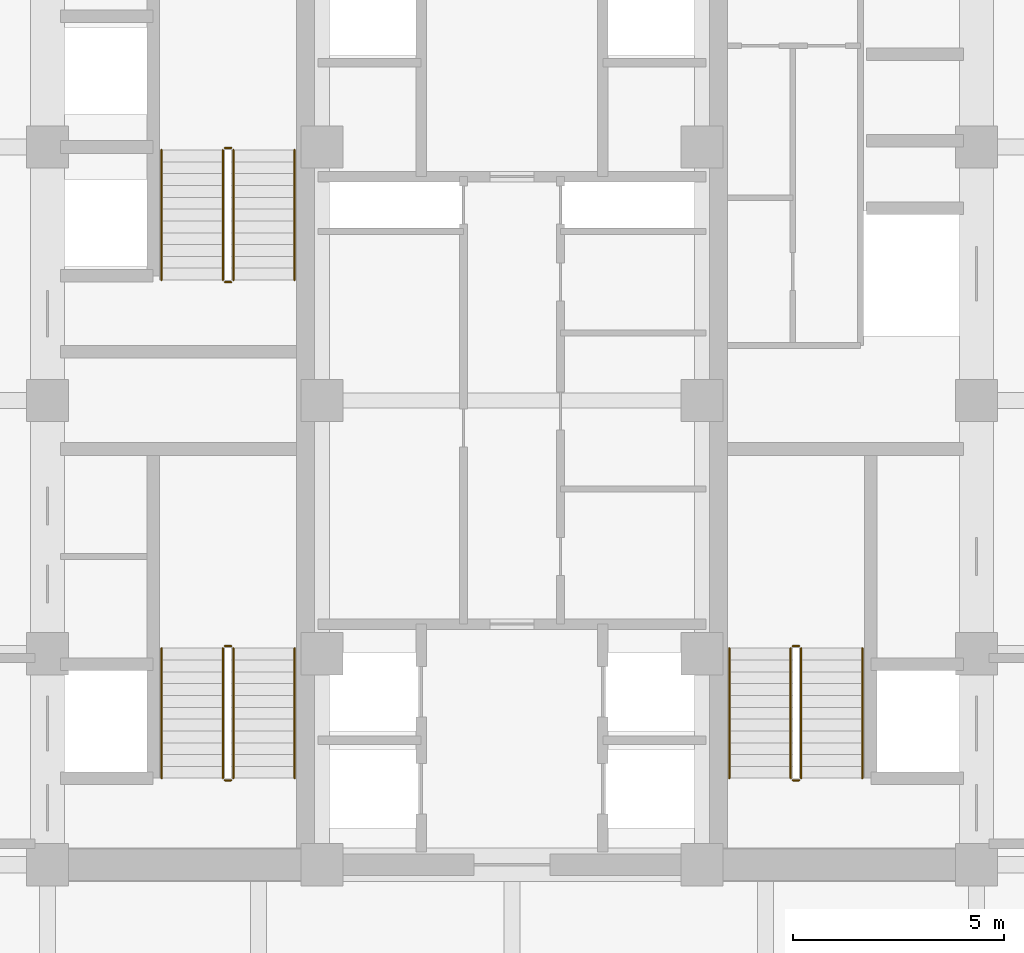
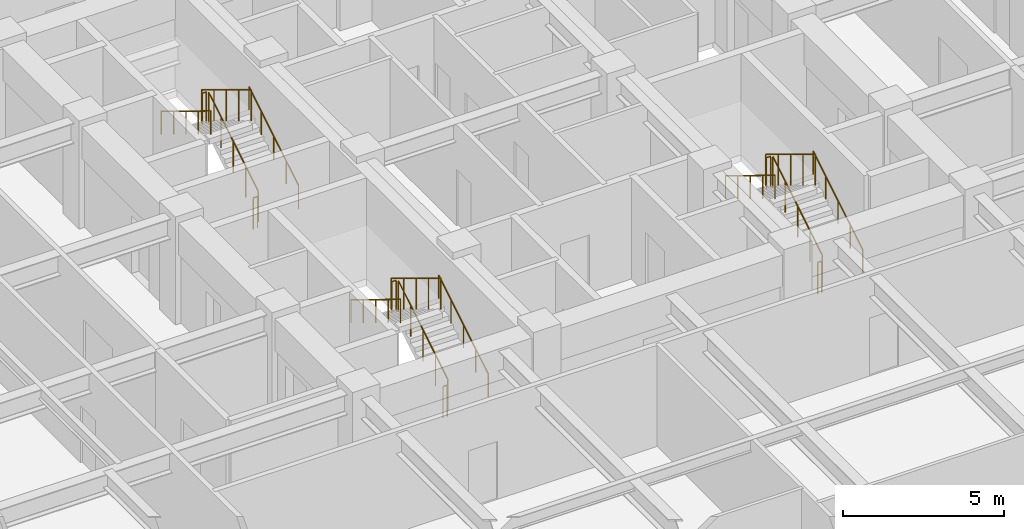
# One storey, part 27 of 27: 18 railings.
"""IFC4 building model written with IfcOpenShell, lengths in metres."""

from ifc_helpers import new_model, si_unit, direction, frame, origin, origin_2d, place, context, subcontext, project, spatial, circle, extrude, source, transform, mapped, material, type_object, element, save


model = new_model("IFC4")

# Units and contexts
model_context = context("Model", 3, precision=1e-05, world=origin(), true_north=direction((0.0, 1.0)))
body_context = subcontext(model_context, "Body", "Model", "MODEL_VIEW")
ifc_project = project(units=[si_unit("LENGTHUNIT", "METRE"), si_unit("AREAUNIT", "SQUARE_METRE"), si_unit("VOLUMEUNIT", "CUBIC_METRE"), si_unit("PLANEANGLEUNIT", "RADIAN"), si_unit("MASSUNIT", "GRAM", prefix="KILO")], contexts=[model_context])

# Site, building, storey
site_placement = place(None, origin())
site = spatial("IfcSite", under=ifc_project, at=site_placement, CompositionType="ELEMENT")
building_placement = place(site_placement, origin())
building = spatial("IfcBuilding", under=site, at=building_placement, Name="Khorayat Bourse Tower", CompositionType="ELEMENT")
storey_placement = place(building_placement, frame((0.0, 0.0, 140.60009765625)))
storey = spatial("IfcBuildingStorey", under=building, at=storey_placement, Name="L32", CompositionType="ELEMENT", Elevation=140.60009765625)

# Railings
ifc_material_1 = material(Name="Powder-coated steel balustrade", Category="steel")
railing_type_1 = type_object("IfcRailingType", Name="RLG-GUARD-1200", PredefinedType="GUARDRAIL", material=ifc_material_1)
shared_shape_1 = source(origin(), body_context, "Body", "SweptSolid", [
    extrude(circle(Radius=0.02392578125, at=origin_2d()), frame((0.0, 0.0, 1.17578125), z_axis=(-1.0, 0.0, 0.0), x_axis=(0.0, -1.0, 0.0)), (0.0, 0.0, 1.0), 0.150146484375),
    extrude(circle(Radius=0.02099609375, at=origin_2d()), origin(), (0.0, 0.0, 1.0), 1.15185546875),
    extrude(circle(Radius=0.02099609375, at=origin_2d()), frame((-0.150146484375, 0.0, 0.0)), (0.0, 0.0, 1.0), 1.15185546875),
])
for number, where, name in (
    (1, (-6.64990234375, -5.820068359375, 2.0498046875), "L32 ST-1 stair guard 2"),
    (2, (-6.64990234375, -9.0, 0.0), "L32 ST-1 stair guard 4"),
    (3, (-6.64990234375, 5.97998046875, 2.0498046875), "L32 ST-2 stair guard 2"),
    (4, (-6.64990234375, 2.800048828125, 0.0), "L32 ST-2 stair guard 4"),
    (5, (6.800048828125, -5.820068359375, 2.0498046875), "L32 ST-3 stair guard 2"),
    (6, (6.800048828125, -9.0, 0.0), "L32 ST-3 stair guard 4"),
):
    element("IfcRailing", number, at=place(storey_placement, frame(where)), inside=storey, type_object=railing_type_1, Name=name, PredefinedType="GUARDRAIL", context=body_context, shape_type="MappedRepresentation", body=[
        mapped(shared_shape_1, transform((0.0, 0.0, 0.0), scale=1.0)),
    ])
shared_shape_2 = source(origin(), body_context, "Body", "SweptSolid", [
    extrude(circle(Radius=0.02392578125, at=origin_2d()), frame((0.0, 0.0, 1.17578125), z_axis=(0.0, 0.853647949592, 0.520850437417), x_axis=(-1.0, 0.0, 0.0)), (0.0, 0.0, 1.0), 3.60791015625),
    extrude(circle(Radius=0.02099609375, at=origin_2d()), origin(), (0.0, 0.0, 1.0), 1.15185546875),
    extrude(circle(Radius=0.02099609375, at=origin_2d()), frame((0.0, 0.77001953125, 0.4697265625)), (0.0, 0.0, 1.0), 1.15185546875),
    extrude(circle(Radius=0.02099609375, at=origin_2d()), frame((0.0, 1.5400390625, 0.939453125)), (0.0, 0.0, 1.0), 1.15185546875),
    extrude(circle(Radius=0.02099609375, at=origin_2d()), frame((0.0, 2.309814453125, 1.409423828125)), (0.0, 0.0, 1.0), 1.15185546875),
    extrude(circle(Radius=0.02099609375, at=origin_2d()), frame((0.0, 3.079833984375, 1.879150390625)), (0.0, 0.0, 1.0), 1.15185546875),
])
for number, where, name in (
    (7, (-6.60009765625, -8.949951171875, 0.170654296875), "L32 ST-1 stair guard 1"),
    (8, (-6.60009765625, 2.85009765625, 0.170654296875), "L32 ST-2 stair guard 1"),
    (9, (6.85009765625, -8.949951171875, 0.170654296875), "L32 ST-3 stair guard 1"),
):
    element("IfcRailing", number, at=place(storey_placement, frame(where)), inside=storey, type_object=railing_type_1, Name=name, PredefinedType="GUARDRAIL", context=body_context, shape_type="MappedRepresentation", body=[
        mapped(shared_shape_2, transform((0.0, 0.0, 0.0), scale=1.0)),
    ])
shared_shape_3 = source(origin(), body_context, "Body", "SweptSolid", [
    extrude(circle(Radius=0.02392578125, at=origin_2d()), frame((0.0, 0.0, 1.17578125), z_axis=(0.0, -0.853647949592, 0.520850437417), x_axis=(1.0, 0.0, 0.0)), (0.0, 0.0, 1.0), 3.60791015625),
    extrude(circle(Radius=0.02099609375, at=origin_2d()), origin(), (0.0, 0.0, 1.0), 1.15185546875),
    extrude(circle(Radius=0.02099609375, at=origin_2d()), frame((0.0, -0.77001953125, 0.4697265625)), (0.0, 0.0, 1.0), 1.15185546875),
    extrude(circle(Radius=0.02099609375, at=origin_2d()), frame((0.0, -1.5400390625, 0.939453125)), (0.0, 0.0, 1.0), 1.15185546875),
    extrude(circle(Radius=0.02099609375, at=origin_2d()), frame((0.0, -2.309814453125, 1.409423828125)), (0.0, 0.0, 1.0), 1.15185546875),
    extrude(circle(Radius=0.02099609375, at=origin_2d()), frame((0.0, -3.079833984375, 1.879150390625)), (0.0, 0.0, 1.0), 1.15185546875),
])
for number, where, name in (
    (10, (-6.85009765625, -5.8701171875, 2.220703125), "L32 ST-1 stair guard 3"),
    (11, (-6.85009765625, 5.929931640625, 2.220703125), "L32 ST-2 stair guard 3"),
    (12, (6.60009765625, -5.8701171875, 2.220703125), "L32 ST-3 stair guard 3"),
):
    element("IfcRailing", number, at=place(storey_placement, frame(where)), inside=storey, type_object=railing_type_1, Name=name, PredefinedType="GUARDRAIL", context=body_context, shape_type="MappedRepresentation", body=[
        mapped(shared_shape_3, transform((0.0, 0.0, 0.0), scale=1.0)),
    ])
ifc_material_2 = material(Name="Brushed bronze stainless-steel handrail", Category="steel")
railing_type_2 = type_object("IfcRailingType", Name="RLG-HAND-900", PredefinedType="HANDRAIL", material=ifc_material_2)
shared_shape_4 = source(origin(), body_context, "Body", "SweptSolid", [
    extrude(circle(Radius=0.02392578125, at=origin_2d()), frame((0.0, 0.0, 0.8759765625), z_axis=(0.0, 0.853647949592, 0.520850437417), x_axis=(-1.0, 0.0, 0.0)), (0.0, 0.0, 1.0), 3.60791015625),
    extrude(circle(Radius=0.02099609375, at=origin_2d()), origin(), (0.0, 0.0, 1.0), 0.851806640625),
    extrude(circle(Radius=0.02099609375, at=origin_2d()), frame((0.0, 0.77001953125, 0.4697265625)), (0.0, 0.0, 1.0), 0.851806640625),
    extrude(circle(Radius=0.02099609375, at=origin_2d()), frame((0.0, 1.5400390625, 0.939453125)), (0.0, 0.0, 1.0), 0.851806640625),
    extrude(circle(Radius=0.02099609375, at=origin_2d()), frame((0.0, 2.309814453125, 1.409423828125)), (0.0, 0.0, 1.0), 0.851806640625),
    extrude(circle(Radius=0.02099609375, at=origin_2d()), frame((0.0, 3.079833984375, 1.879150390625)), (0.0, 0.0, 1.0), 0.851806640625),
])
for number, where, name in (
    (13, (-5.14990234375, -8.949951171875, 0.170654296875), "L32 ST-1 stair handrail 1"),
    (14, (-5.14990234375, 2.85009765625, 0.170654296875), "L32 ST-2 stair handrail 1"),
    (15, (8.300048828125, -8.949951171875, 0.170654296875), "L32 ST-3 stair handrail 1"),
):
    element("IfcRailing", number, at=place(storey_placement, frame(where)), inside=storey, type_object=railing_type_2, Name=name, PredefinedType="HANDRAIL", context=body_context, shape_type="MappedRepresentation", body=[
        mapped(shared_shape_4, transform((0.0, 0.0, 0.0), scale=1.0)),
    ])
shared_shape_5 = source(origin(), body_context, "Body", "SweptSolid", [
    extrude(circle(Radius=0.02392578125, at=origin_2d()), frame((0.0, 0.0, 0.8759765625), z_axis=(0.0, -0.853647949592, 0.520850437417), x_axis=(1.0, 0.0, 0.0)), (0.0, 0.0, 1.0), 3.60791015625),
    extrude(circle(Radius=0.02099609375, at=origin_2d()), origin(), (0.0, 0.0, 1.0), 0.851806640625),
    extrude(circle(Radius=0.02099609375, at=origin_2d()), frame((0.0, -0.77001953125, 0.4697265625)), (0.0, 0.0, 1.0), 0.851806640625),
    extrude(circle(Radius=0.02099609375, at=origin_2d()), frame((0.0, -1.5400390625, 0.939453125)), (0.0, 0.0, 1.0), 0.851806640625),
    extrude(circle(Radius=0.02099609375, at=origin_2d()), frame((0.0, -2.309814453125, 1.409423828125)), (0.0, 0.0, 1.0), 0.851806640625),
    extrude(circle(Radius=0.02099609375, at=origin_2d()), frame((0.0, -3.079833984375, 1.879150390625)), (0.0, 0.0, 1.0), 0.851806640625),
])
for number, where, name in (
    (16, (-8.300048828125, -5.8701171875, 2.220703125), "L32 ST-1 stair handrail 2"),
    (17, (-8.300048828125, 5.929931640625, 2.220703125), "L32 ST-2 stair handrail 2"),
    (18, (5.14990234375, -5.8701171875, 2.220703125), "L32 ST-3 stair handrail 2"),
):
    element("IfcRailing", number, at=place(storey_placement, frame(where)), inside=storey, type_object=railing_type_2, Name=name, PredefinedType="HANDRAIL", context=body_context, shape_type="MappedRepresentation", body=[
        mapped(shared_shape_5, transform((0.0, 0.0, 0.0), scale=1.0)),
    ])

save(model, "model.ifc")
